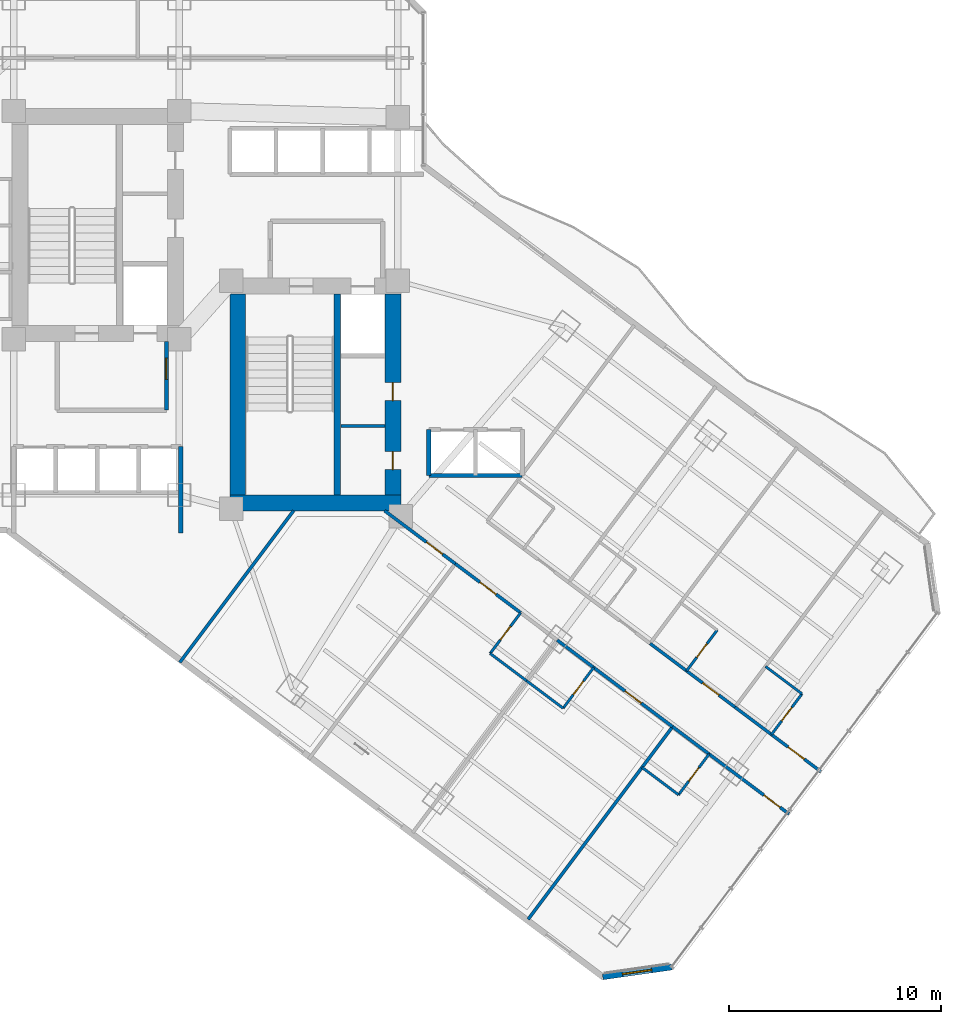
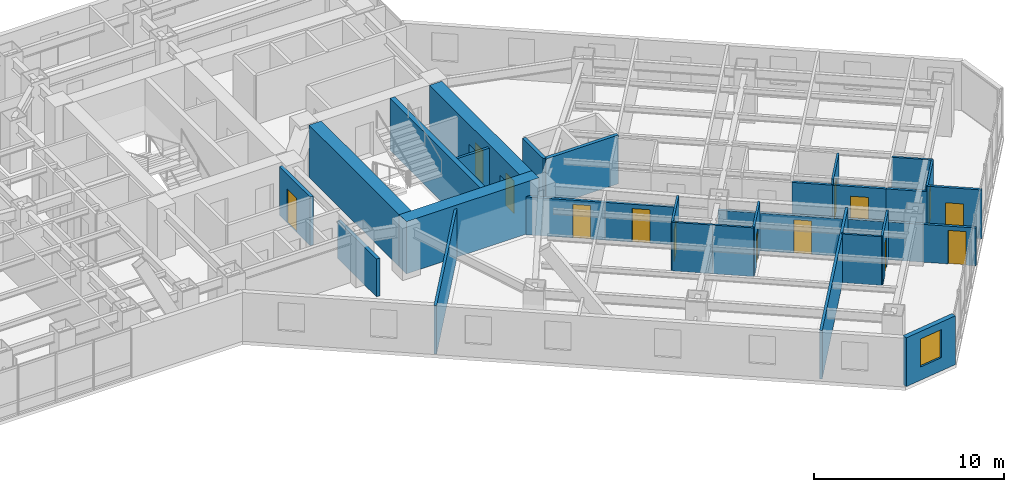
# One storey, part 23 of 32: 31 walls, 14 doors, 1 window, 15 openings.
"""IFC4 building model written with IfcOpenShell, lengths in metres."""

from ifc_helpers import new_model, si_unit, direction, frame, frame_2d, origin, place, context, subcontext, project, spatial, rectangle, extrude, material, layer, layer_set, type_object, element, fill, save


model = new_model("IFC4")

# Units and contexts
model_context = context("Model", 3, precision=1e-05, world=origin(), true_north=direction((0.0, 1.0)))
body_context = subcontext(model_context, "Body", "Model", "MODEL_VIEW")
ifc_project = project(units=[si_unit("LENGTHUNIT", "METRE"), si_unit("AREAUNIT", "SQUARE_METRE"), si_unit("VOLUMEUNIT", "CUBIC_METRE"), si_unit("PLANEANGLEUNIT", "RADIAN"), si_unit("MASSUNIT", "GRAM", prefix="KILO")], contexts=[model_context])

# Site, building, storey
site_placement = place(None, origin())
site = spatial("IfcSite", under=ifc_project, at=site_placement, CompositionType="ELEMENT")
building_placement = place(site_placement, origin())
building = spatial("IfcBuilding", under=site, at=building_placement, Name="Hatsunagi Terrace Concourse", CompositionType="ELEMENT")
storey_placement = place(building_placement, frame((0.0, 0.0, 36.60009765625)))
storey = spatial("IfcBuildingStorey", under=building, at=storey_placement, Name="L08", CompositionType="ELEMENT", Elevation=36.60009765625)

# Walls
ifc_material_1 = material(Name="Concrete Fc60", Category="concrete")
ifc_layer_1 = layer(ifc_material_1, 0.75)
ifc_layer_set_1 = layer_set([ifc_layer_1], Name="CoreShearWall_Fc60_750")
wall_type_1 = type_object("IfcWallType", Name="CoreShearWall_Fc60_750", PredefinedType="SHEAR", material=ifc_layer_set_1)
wall_1_placement = place(storey_placement, frame((35.739990234375, 24.81494140625, 0.0), z_axis=(0.0, 0.0, 1.0), x_axis=(1.0, 0.0, 0.0)))
element("IfcWall", 1, at=wall_1_placement, inside=storey, type_object=wall_type_1, Name="Core B Shear Wall S L08", PredefinedType="SHEAR", context=body_context, shape_type="SweptSolid", body=[
    extrude(rectangle(XDim=8.06005859375, YDim=0.75, at=frame_2d((4.030029296875, 0.0))), origin(), (0.0, 0.0, 1.0), 3.349853515625),
])
wall_2_placement = place(storey_placement, frame((36.114990234375, 25.18994140625, 0.0), z_axis=(0.0, 0.0, 1.0), x_axis=(0.0, 1.0, 0.0)))
element("IfcWall", 2, at=wall_2_placement, inside=storey, type_object=wall_type_1, Name="Core B Shear Wall W L08", PredefinedType="SHEAR", context=body_context, shape_type="SweptSolid", body=[
    extrude(rectangle(XDim=9.47998046875, YDim=0.75, at=frame_2d((4.739990234375, 0.0))), origin(), (0.0, 0.0, 1.0), 3.349853515625),
])

# Wall, openings, doors
wall_3_placement = place(storey_placement, frame((43.425048828125, 25.18994140625, 0.0), z_axis=(0.0, 0.0, 1.0), x_axis=(0.0, 1.0, 0.0)))
wall_3 = element("IfcWall", 3, at=wall_3_placement, inside=storey, type_object=wall_type_1, Name="Core B Shear Wall E L08", PredefinedType="SHEAR", context=body_context, shape_type="SweptSolid", body=[
    extrude(rectangle(XDim=9.47998046875, YDim=0.75, at=frame_2d((4.739990234375, 0.0))), origin(), (0.0, 0.0, 1.0), 3.349853515625),
])
opening_1_placement = place(wall_3_placement, frame((1.2099609375, 0.0, 0.0)))
opening_1 = element("IfcOpeningElement", 4, at=opening_1_placement, cuts=wall_3, Name="Opening DR-085", PredefinedType="OPENING", context=body_context, shape_type="SweptSolid", body=[
    extrude(rectangle(XDim=0.85009765625, YDim=2.080078125, at=frame_2d((0.425048828125, 1.0400390625))), frame((0.0, 0.385009765625, 0.0), z_axis=(0.0, -1.0, 0.0), x_axis=(1.0, 0.0, 0.0)), (0.0, 0.0, 1.0), 0.77001953125),
])
opening_2_placement = place(wall_3_placement, frame((4.4599609375, 0.0, 0.0)))
opening_2 = element("IfcOpeningElement", 5, at=opening_2_placement, cuts=wall_3, Name="Opening DR-085", PredefinedType="OPENING", context=body_context, shape_type="SweptSolid", body=[
    extrude(rectangle(XDim=0.85009765625, YDim=2.080078125, at=frame_2d((0.425048828125, 1.0400390625))), frame((0.0, 0.385009765625, 0.0), z_axis=(0.0, -1.0, 0.0), x_axis=(1.0, 0.0, 0.0)), (0.0, 0.0, 1.0), 0.77001953125),
])
ifc_material_2 = material(Name="Painted steel", Category="steel")
door_type_1 = type_object("IfcDoorType", Name="RiserAccessDoor_EI60_850", OperationType="NOTDEFINED", PredefinedType="DOOR", material=ifc_material_2)
door_1_placement = place(opening_1_placement, origin())
door_1 = element("IfcDoor", 6, at=door_1_placement, inside=storey, type_object=door_type_1, Name="Core B Riser Door L08-1", OperationType="SINGLE_SWING_RIGHT", OverallHeight=2.080078125, OverallWidth=0.85009765625, PredefinedType="DOOR", context=body_context, shape_type="SweptSolid", body=[
    extrude(rectangle(XDim=0.85009765625, YDim=2.080078125, at=frame_2d((0.425048828125, 1.0400390625))), frame((0.0, 0.02490234375, 0.0), z_axis=(0.0, -1.0, 0.0), x_axis=(1.0, 0.0, 0.0)), (0.0, 0.0, 1.0), 0.050048828125),
])
fill(opening_1, door_1)
door_2_placement = place(opening_2_placement, origin())
door_2 = element("IfcDoor", 7, at=door_2_placement, inside=storey, type_object=door_type_1, Name="Core B Riser Door L08-2", OperationType="SINGLE_SWING_RIGHT", OverallHeight=2.080078125, OverallWidth=0.85009765625, PredefinedType="DOOR", context=body_context, shape_type="SweptSolid", body=[
    extrude(rectangle(XDim=0.85009765625, YDim=2.080078125, at=frame_2d((0.425048828125, 1.0400390625))), frame((0.0, 0.02490234375, 0.0), z_axis=(0.0, -1.0, 0.0), x_axis=(1.0, 0.0, 0.0)), (0.0, 0.0, 1.0), 0.050048828125),
])
fill(opening_2, door_2)

# Wall
ifc_material_3 = material(Name="Concrete Fc48", Category="concrete")
ifc_layer_2 = layer(ifc_material_3, 0.300048828125)
ifc_layer_set_2 = layer_set([ifc_layer_2], Name="CoreStairDivider_Fc48_300")
wall_type_2 = type_object("IfcWallType", Name="CoreStairDivider_Fc48_300", PredefinedType="SHEAR", material=ifc_layer_set_2)
wall_4_placement = place(storey_placement, frame((40.81005859375, 25.18994140625, 0.0), z_axis=(0.0, 0.0, 1.0), x_axis=(0.0, 1.0, 0.0)))
element("IfcWall", 8, at=wall_4_placement, inside=storey, type_object=wall_type_2, Name="Core B Shear Wall D L08", PredefinedType="SHEAR", context=body_context, shape_type="SweptSolid", body=[
    extrude(rectangle(XDim=9.47998046875, YDim=0.300048828125, at=frame_2d((4.739990234375, 0.0))), origin(), (0.0, 0.0, 1.0), 3.349853515625),
])

# Wall, opening, door
ifc_material_4 = material(Name="Acoustic mineral board", Category="gypsum")
ifc_layer_3 = layer(ifc_material_4, 0.1201171875)
ifc_layer_set_3 = layer_set([ifc_layer_3], Name="PartitionWall_EI30_120")
wall_type_3 = type_object("IfcWallType", Name="PartitionWall_EI30_120", PredefinedType="PARTITIONING", material=ifc_layer_set_3)
wall_5_placement = place(storey_placement, frame((57.27001953125, 16.909912109375, 0.0), z_axis=(0.0, 0.0, 1.0), x_axis=(0.599951172744, 0.800036618114, 0.0)))
wall_5 = element("IfcWall", 9, at=wall_5_placement, inside=storey, type_object=wall_type_3, Name="Interior Partition IW-L08-089", PredefinedType="PARTITIONING", context=body_context, shape_type="SweptSolid", body=[
    extrude(rectangle(XDim=2.400146484375, YDim=0.1201171875, at=frame_2d((1.2001953125, 0.0))), origin(), (0.0, 0.0, 1.0), 3.1298828125),
])
opening_3_placement = place(wall_5_placement, frame((0.800048828125, 0.0, 0.0)))
opening_3 = element("IfcOpeningElement", 10, at=opening_3_placement, cuts=wall_5, Name="Opening DR-080", PredefinedType="OPENING", context=body_context, shape_type="SweptSolid", body=[
    extrude(rectangle(XDim=0.800048828125, YDim=2.06005859375, at=frame_2d((0.39990234375, 1.030029296875))), frame((0.0, 0.070068359375, 0.0), z_axis=(0.0, -1.0, 0.0), x_axis=(1.0, 0.0, 0.0)), (0.0, 0.0, 1.0), 0.14013671875),
])
ifc_material_5 = material(Name="Hardwood timber", Category="wood")
door_type_2 = type_object("IfcDoorType", Name="BathroomDoor_800", OperationType="NOTDEFINED", PredefinedType="DOOR", material=ifc_material_5)
door_3_placement = place(opening_3_placement, origin())
door_3 = element("IfcDoor", 11, at=door_3_placement, inside=storey, type_object=door_type_2, Name="En-Suite Bathroom L08-SENE3 Door", OperationType="SINGLE_SWING_LEFT", OverallHeight=2.06005859375, OverallWidth=0.800048828125, PredefinedType="DOOR", context=body_context, shape_type="SweptSolid", body=[
    extrude(rectangle(XDim=0.800048828125, YDim=2.06005859375, at=frame_2d((0.39990234375, 1.030029296875))), frame((0.0, 0.02490234375, 0.0), z_axis=(0.0, -1.0, 0.0), x_axis=(1.0, 0.0, 0.0)), (0.0, 0.0, 1.0), 0.050048828125),
])
fill(opening_3, door_3)

wall_6_placement = place(storey_placement, frame((61.27001953125, 13.909912109375, 0.0), z_axis=(0.0, 0.0, 1.0), x_axis=(0.599951172744, 0.800036618114, 0.0)))
wall_6 = element("IfcWall", 12, at=wall_6_placement, inside=storey, type_object=wall_type_3, Name="Interior Partition IW-L08-094", PredefinedType="PARTITIONING", context=body_context, shape_type="SweptSolid", body=[
    extrude(rectangle(XDim=2.400146484375, YDim=0.1201171875, at=frame_2d((1.2001953125, 0.0))), origin(), (0.0, 0.0, 1.0), 3.1298828125),
])
opening_4_placement = place(wall_6_placement, frame((0.800048828125, 0.0, 0.0)))
opening_4 = element("IfcOpeningElement", 13, at=opening_4_placement, cuts=wall_6, Name="Opening DR-080", PredefinedType="OPENING", context=body_context, shape_type="SweptSolid", body=[
    extrude(rectangle(XDim=0.800048828125, YDim=2.06005859375, at=frame_2d((0.39990234375, 1.030029296875))), frame((0.0, 0.070068359375, 0.0), z_axis=(0.0, -1.0, 0.0), x_axis=(1.0, 0.0, 0.0)), (0.0, 0.0, 1.0), 0.14013671875),
])
door_4_placement = place(opening_4_placement, origin())
door_4 = element("IfcDoor", 14, at=door_4_placement, inside=storey, type_object=door_type_2, Name="En-Suite Bathroom L08-SENE4 Door", OperationType="SINGLE_SWING_RIGHT", OverallHeight=2.06005859375, OverallWidth=0.800048828125, PredefinedType="DOOR", context=body_context, shape_type="SweptSolid", body=[
    extrude(rectangle(XDim=0.800048828125, YDim=2.06005859375, at=frame_2d((0.39990234375, 1.030029296875))), frame((0.0, 0.02490234375, 0.0), z_axis=(0.0, -1.0, 0.0), x_axis=(1.0, 0.0, 0.0)), (0.0, 0.0, 1.0), 0.050048828125),
])
fill(opening_4, door_4)

# Wall
wall_7_placement = place(storey_placement, frame((60.989990234375, 17.1201171875, 0.0), z_axis=(0.0, 0.0, 1.0), x_axis=(0.79998637334, -0.60001816845, 0.0)))
element("IfcWall", 15, at=wall_7_placement, inside=storey, type_object=wall_type_3, Name="Interior Partition IW-L08-095", PredefinedType="PARTITIONING", context=body_context, shape_type="SweptSolid", body=[
    extrude(rectangle(XDim=2.14990234375, YDim=0.1201171875, at=frame_2d((1.074951171875, 0.0))), origin(), (0.0, 0.0, 1.0), 3.1298828125),
])

# Wall, opening, door
wall_8_placement = place(storey_placement, frame((48.010009765625, 17.72998046875, 0.0), z_axis=(0.0, 0.0, 1.0), x_axis=(0.6, 0.8, 0.0)))
wall_8 = element("IfcWall", 16, at=wall_8_placement, inside=storey, type_object=wall_type_3, Name="Interior Partition IW-L08-098", PredefinedType="PARTITIONING", context=body_context, shape_type="SweptSolid", body=[
    extrude(rectangle(XDim=2.39990234375, YDim=0.1201171875, at=frame_2d((1.199951171875, 0.0))), origin(), (0.0, 0.0, 1.0), 3.1298828125),
])
opening_5_placement = place(wall_8_placement, frame((0.800048828125, 0.0, 0.0)))
opening_5 = element("IfcOpeningElement", 17, at=opening_5_placement, cuts=wall_8, Name="Opening DR-080", PredefinedType="OPENING", context=body_context, shape_type="SweptSolid", body=[
    extrude(rectangle(XDim=0.800048828125, YDim=2.06005859375, at=frame_2d((0.39990234375, 1.030029296875))), frame((0.0, 0.070068359375, 0.0), z_axis=(0.0, -1.0, 0.0), x_axis=(1.0, 0.0, 0.0)), (0.0, 0.0, 1.0), 0.14013671875),
])
door_5_placement = place(opening_5_placement, origin())
door_5 = element("IfcDoor", 18, at=door_5_placement, inside=storey, type_object=door_type_2, Name="En-Suite Bathroom L08-SESW1 Door", OperationType="SINGLE_SWING_LEFT", OverallHeight=2.06005859375, OverallWidth=0.800048828125, PredefinedType="DOOR", context=body_context, shape_type="SweptSolid", body=[
    extrude(rectangle(XDim=0.800048828125, YDim=2.06005859375, at=frame_2d((0.39990234375, 1.030029296875))), frame((0.0, 0.02490234375, 0.0), z_axis=(0.0, -1.0, 0.0), x_axis=(1.0, 0.0, 0.0)), (0.0, 0.0, 1.0), 0.050048828125),
])
fill(opening_5, door_5)

# Wall
wall_9_placement = place(storey_placement, frame((48.010009765625, 17.72998046875, 0.0), z_axis=(0.0, 0.0, 1.0), x_axis=(0.79998637334, -0.60001816845, 0.0)))
element("IfcWall", 19, at=wall_9_placement, inside=storey, type_object=wall_type_3, Name="Interior Partition IW-L08-099", PredefinedType="PARTITIONING", context=body_context, shape_type="SweptSolid", body=[
    extrude(rectangle(XDim=2.14990234375, YDim=0.1201171875, at=frame_2d((1.074951171875, 0.0))), origin(), (0.0, 0.0, 1.0), 3.1298828125),
])

# Wall, opening, door
wall_10_placement = place(storey_placement, frame((51.449951171875, 15.14990234375, 0.0), z_axis=(0.0, 0.0, 1.0), x_axis=(0.599951172744, 0.800036618114, 0.0)))
wall_10 = element("IfcWall", 20, at=wall_10_placement, inside=storey, type_object=wall_type_3, Name="Interior Partition IW-L08-103", PredefinedType="PARTITIONING", context=body_context, shape_type="SweptSolid", body=[
    extrude(rectangle(XDim=2.400146484375, YDim=0.1201171875, at=frame_2d((1.2001953125, 0.0))), origin(), (0.0, 0.0, 1.0), 3.1298828125),
])
opening_6_placement = place(wall_10_placement, frame((0.800048828125, 0.0, 0.0)))
opening_6 = element("IfcOpeningElement", 21, at=opening_6_placement, cuts=wall_10, Name="Opening DR-080", PredefinedType="OPENING", context=body_context, shape_type="SweptSolid", body=[
    extrude(rectangle(XDim=0.800048828125, YDim=2.06005859375, at=frame_2d((0.39990234375, 1.030029296875))), frame((0.0, 0.070068359375, 0.0), z_axis=(0.0, -1.0, 0.0), x_axis=(1.0, 0.0, 0.0)), (0.0, 0.0, 1.0), 0.14013671875),
])
door_6_placement = place(opening_6_placement, origin())
door_6 = element("IfcDoor", 22, at=door_6_placement, inside=storey, type_object=door_type_2, Name="En-Suite Bathroom L08-SESW2 Door", OperationType="SINGLE_SWING_RIGHT", OverallHeight=2.06005859375, OverallWidth=0.800048828125, PredefinedType="DOOR", context=body_context, shape_type="SweptSolid", body=[
    extrude(rectangle(XDim=0.800048828125, YDim=2.06005859375, at=frame_2d((0.39990234375, 1.030029296875))), frame((0.0, 0.02490234375, 0.0), z_axis=(0.0, -1.0, 0.0), x_axis=(1.0, 0.0, 0.0)), (0.0, 0.0, 1.0), 0.050048828125),
])
fill(opening_6, door_6)

# Wall
wall_11_placement = place(storey_placement, frame((49.72998046875, 16.43994140625, 0.0), z_axis=(0.0, 0.0, 1.0), x_axis=(0.79998637334, -0.60001816845, 0.0)))
element("IfcWall", 23, at=wall_11_placement, inside=storey, type_object=wall_type_3, Name="Interior Partition IW-L08-104", PredefinedType="PARTITIONING", context=body_context, shape_type="SweptSolid", body=[
    extrude(rectangle(XDim=2.14990234375, YDim=0.1201171875, at=frame_2d((1.074951171875, 0.0))), origin(), (0.0, 0.0, 1.0), 3.1298828125),
])

# Wall, opening, door
wall_12_placement = place(storey_placement, frame((56.889892578125, 11.070068359375, 0.0), z_axis=(0.0, 0.0, 1.0), x_axis=(0.600065100855, 0.79995117022, 0.0)))
wall_12 = element("IfcWall", 24, at=wall_12_placement, inside=storey, type_object=wall_type_3, Name="Interior Partition IW-L08-108", PredefinedType="PARTITIONING", context=body_context, shape_type="SweptSolid", body=[
    extrude(rectangle(XDim=2.400146484375, YDim=0.1201171875, at=frame_2d((1.2001953125, 0.0))), origin(), (0.0, 0.0, 1.0), 3.1298828125),
])
opening_7_placement = place(wall_12_placement, frame((0.800048828125, 0.0, 0.0)))
opening_7 = element("IfcOpeningElement", 25, at=opening_7_placement, cuts=wall_12, Name="Opening DR-080", PredefinedType="OPENING", context=body_context, shape_type="SweptSolid", body=[
    extrude(rectangle(XDim=0.800048828125, YDim=2.06005859375, at=frame_2d((0.39990234375, 1.030029296875))), frame((0.0, 0.070068359375, 0.0), z_axis=(0.0, -1.0, 0.0), x_axis=(1.0, 0.0, 0.0)), (0.0, 0.0, 1.0), 0.14013671875),
])
door_7_placement = place(opening_7_placement, origin())
door_7 = element("IfcDoor", 26, at=door_7_placement, inside=storey, type_object=door_type_2, Name="En-Suite Bathroom L08-SESW3 Door", OperationType="SINGLE_SWING_LEFT", OverallHeight=2.06005859375, OverallWidth=0.800048828125, PredefinedType="DOOR", context=body_context, shape_type="SweptSolid", body=[
    extrude(rectangle(XDim=0.800048828125, YDim=2.06005859375, at=frame_2d((0.39990234375, 1.030029296875))), frame((0.0, 0.02490234375, 0.0), z_axis=(0.0, -1.0, 0.0), x_axis=(1.0, 0.0, 0.0)), (0.0, 0.0, 1.0), 0.050048828125),
])
fill(opening_7, door_7)

# Walls
wall_13_placement = place(storey_placement, frame((55.169921875, 12.360107421875, 0.0), z_axis=(0.0, 0.0, 1.0), x_axis=(0.79998637334, -0.60001816845, 0.0)))
element("IfcWall", 27, at=wall_13_placement, inside=storey, type_object=wall_type_3, Name="Interior Partition IW-L08-109", PredefinedType="PARTITIONING", context=body_context, shape_type="SweptSolid", body=[
    extrude(rectangle(XDim=2.14990234375, YDim=0.1201171875, at=frame_2d((1.074951171875, 0.0))), origin(), (0.0, 0.0, 1.0), 3.1298828125),
])
ifc_material_6 = material(Name="Acoustic mineral board", Category="gypsum")
ifc_layer_4 = layer(ifc_material_6, 0.14990234375)
ifc_layer_set_4 = layer_set([ifc_layer_4], Name="PartitionWall_EI60_150")
wall_type_4 = type_object("IfcWallType", Name="PartitionWall_EI60_150", PredefinedType="PARTITIONING", material=ifc_layer_set_4)
wall_14_placement = place(storey_placement, frame((40.969970703125, 28.449951171875, 0.0), z_axis=(0.0, 0.0, 1.0), x_axis=(1.0, 0.0, 0.0)))
element("IfcWall", 28, at=wall_14_placement, inside=storey, type_object=wall_type_4, Name="Interior Partition IW-L08-004", PredefinedType="PARTITIONING", context=body_context, shape_type="SweptSolid", body=[
    extrude(rectangle(XDim=2.080078125, YDim=0.14990234375, at=frame_2d((1.0400390625, 0.0))), origin(), (0.0, 0.0, 1.0), 3.1298828125),
])

# Wall, opening, door
wall_15_placement = place(storey_placement, frame((43.037109375, 24.4599609375, 0.0), z_axis=(0.0, 0.0, 1.0), x_axis=(0.799971872363, -0.600037501685, 0.0)))
wall_15 = element("IfcWall", 29, at=wall_15_placement, inside=storey, type_object=wall_type_4, Name="Interior Partition IW-L08-041", PredefinedType="PARTITIONING", context=body_context, shape_type="SweptSolid", body=[
    extrude(rectangle(XDim=4.16650390625, YDim=0.14990234375, at=frame_2d((2.083251953125, 0.0))), origin(), (0.0, 0.0, 1.0), 2.4248046875),
])
opening_8_placement = place(wall_15_placement, frame((2.468017578125, 0.0, 0.0)))
opening_8 = element("IfcOpeningElement", 30, at=opening_8_placement, cuts=wall_15, Name="Opening DR-095", PredefinedType="OPENING", context=body_context, shape_type="SweptSolid", body=[
    extrude(rectangle(XDim=0.949951171875, YDim=2.14990234375, at=frame_2d((0.47509765625, 1.074951171875))), frame((0.0, 0.0849609375, 0.0), z_axis=(0.0, -1.0, 0.0), x_axis=(1.0, 0.0, 0.0)), (0.0, 0.0, 1.0), 0.169921875),
])
ifc_material_7 = material(Name="Hardwood timber", Category="wood")
door_type_3 = type_object("IfcDoorType", Name="InteriorSuiteDoor_EI30_950", OperationType="NOTDEFINED", PredefinedType="DOOR", material=ifc_material_7)
door_8_placement = place(opening_8_placement, origin())
door_8 = element("IfcDoor", 31, at=door_8_placement, inside=storey, type_object=door_type_3, Name="Meeting Room L08-HMTG Door", OperationType="SINGLE_SWING_RIGHT", OverallHeight=2.14990234375, OverallWidth=0.949951171875, PredefinedType="DOOR", context=body_context, shape_type="SweptSolid", body=[
    extrude(rectangle(XDim=0.949951171875, YDim=2.14990234375, at=frame_2d((0.47509765625, 1.074951171875))), frame((0.0, 0.02490234375, 0.0), z_axis=(0.0, -1.0, 0.0), x_axis=(1.0, 0.0, 0.0)), (0.0, 0.0, 1.0), 0.050048828125),
])
fill(opening_8, door_8)

# Walls
wall_16_placement = place(storey_placement, frame((33.384033203125, 17.31201171875, 0.0), z_axis=(0.0, 0.0, 1.0), x_axis=(0.600008743659, 0.799993442181, 0.0)))
element("IfcWall", 32, at=wall_16_placement, inside=storey, type_object=wall_type_4, Name="Interior Partition IW-L08-042", PredefinedType="PARTITIONING", context=body_context, shape_type="SweptSolid", body=[
    extrude(rectangle(XDim=8.93505859375, YDim=0.14990234375, at=frame_2d((4.467529296875, 0.0))), origin(), (0.0, 0.0, 1.0), 3.1298828125),
])
wall_17_placement = place(storey_placement, frame((55.550048828125, 18.199951171875, 0.0), z_axis=(0.0, 0.0, 1.0), x_axis=(0.79998637334, -0.60001816845, 0.0)))
element("IfcWall", 33, at=wall_17_placement, inside=storey, type_object=wall_type_4, Name="Interior Partition IW-L08-087", PredefinedType="PARTITIONING", context=body_context, shape_type="SweptSolid", body=[
    extrude(rectangle(XDim=2.14990234375, YDim=0.14990234375, at=frame_2d((1.074951171875, 0.0))), origin(), (0.0, 0.0, 1.0), 2.77490234375),
])

# Wall, opening, door
wall_18_placement = place(storey_placement, frame((57.27001953125, 16.909912109375, 0.0), z_axis=(0.0, 0.0, 1.0), x_axis=(0.800010279488, -0.599986293772, 0.0)))
wall_18 = element("IfcWall", 34, at=wall_18_placement, inside=storey, type_object=wall_type_4, Name="Interior Partition IW-L08-088", PredefinedType="PARTITIONING", context=body_context, shape_type="SweptSolid", body=[
    extrude(rectangle(XDim=2.85009765625, YDim=0.14990234375, at=frame_2d((1.425048828125, 0.0))), origin(), (0.0, 0.0, 1.0), 2.77490234375),
])
opening_9_placement = place(wall_18_placement, frame((0.949951171875, 0.0, 0.0)))
opening_9 = element("IfcOpeningElement", 35, at=opening_9_placement, cuts=wall_18, Name="Opening DR-095", PredefinedType="OPENING", context=body_context, shape_type="SweptSolid", body=[
    extrude(rectangle(XDim=0.949951171875, YDim=2.14990234375, at=frame_2d((0.47509765625, 1.074951171875))), frame((0.0, 0.0849609375, 0.0), z_axis=(0.0, -1.0, 0.0), x_axis=(1.0, 0.0, 0.0)), (0.0, 0.0, 1.0), 0.169921875),
])
door_9_placement = place(opening_9_placement, origin())
door_9 = element("IfcDoor", 36, at=door_9_placement, inside=storey, type_object=door_type_3, Name="Hotel Guest Room L08-SENE3 Door", OperationType="SINGLE_SWING_LEFT", OverallHeight=2.14990234375, OverallWidth=0.949951171875, PredefinedType="DOOR", context=body_context, shape_type="SweptSolid", body=[
    extrude(rectangle(XDim=0.949951171875, YDim=2.14990234375, at=frame_2d((0.47509765625, 1.074951171875))), frame((0.0, 0.02490234375, 0.0), z_axis=(0.0, -1.0, 0.0), x_axis=(1.0, 0.0, 0.0)), (0.0, 0.0, 1.0), 0.050048828125),
])
fill(opening_9, door_9)

# Wall
wall_19_placement = place(storey_placement, frame((59.550048828125, 15.199951171875, 0.0), z_axis=(0.0, 0.0, 1.0), x_axis=(0.79998637334, -0.60001816845, 0.0)))
element("IfcWall", 37, at=wall_19_placement, inside=storey, type_object=wall_type_4, Name="Interior Partition IW-L08-092", PredefinedType="PARTITIONING", context=body_context, shape_type="SweptSolid", body=[
    extrude(rectangle(XDim=2.14990234375, YDim=0.14990234375, at=frame_2d((1.074951171875, 0.0))), origin(), (0.0, 0.0, 1.0), 2.77490234375),
])

# Wall, opening, door
wall_20_placement = place(storey_placement, frame((61.27001953125, 13.909912109375, 0.0), z_axis=(0.0, 0.0, 1.0), x_axis=(0.800010068184, -0.59998657552, 0.0)))
wall_20 = element("IfcWall", 38, at=wall_20_placement, inside=storey, type_object=wall_type_4, Name="Interior Partition IW-L08-093", PredefinedType="PARTITIONING", context=body_context, shape_type="SweptSolid", body=[
    extrude(rectangle(XDim=2.909912109375, YDim=0.14990234375, at=frame_2d((1.455078125, 0.0))), origin(), (0.0, 0.0, 1.0), 3.1298828125),
])
opening_10_placement = place(wall_20_placement, frame((0.97998046875, 0.0, 0.0)))
opening_10 = element("IfcOpeningElement", 39, at=opening_10_placement, cuts=wall_20, Name="Opening DR-095", PredefinedType="OPENING", context=body_context, shape_type="SweptSolid", body=[
    extrude(rectangle(XDim=0.949951171875, YDim=2.14990234375, at=frame_2d((0.47509765625, 1.074951171875))), frame((0.0, 0.0849609375, 0.0), z_axis=(0.0, -1.0, 0.0), x_axis=(1.0, 0.0, 0.0)), (0.0, 0.0, 1.0), 0.169921875),
])
door_10_placement = place(opening_10_placement, origin())
door_10 = element("IfcDoor", 40, at=door_10_placement, inside=storey, type_object=door_type_3, Name="Hotel Guest Room L08-SENE4 Door", OperationType="SINGLE_SWING_LEFT", OverallHeight=2.14990234375, OverallWidth=0.949951171875, PredefinedType="DOOR", context=body_context, shape_type="SweptSolid", body=[
    extrude(rectangle(XDim=0.949951171875, YDim=2.14990234375, at=frame_2d((0.47509765625, 1.074951171875))), frame((0.0, 0.02490234375, 0.0), z_axis=(0.0, -1.0, 0.0), x_axis=(1.0, 0.0, 0.0)), (0.0, 0.0, 1.0), 0.050048828125),
])
fill(opening_10, door_10)

wall_21_placement = place(storey_placement, frame((46.3701171875, 21.9599609375, 0.0), z_axis=(0.0, 0.0, 1.0), x_axis=(0.799977170108, -0.600030438649, 0.0)))
wall_21 = element("IfcWall", 41, at=wall_21_placement, inside=storey, type_object=wall_type_4, Name="Interior Partition IW-L08-096", PredefinedType="PARTITIONING", context=body_context, shape_type="SweptSolid", body=[
    extrude(rectangle(XDim=3.849853515625, YDim=0.14990234375, at=frame_2d((1.9248046875, 0.0))), origin(), (0.0, 0.0, 1.0), 2.4248046875),
])
opening_11_placement = place(wall_21_placement, frame((1.449951171875, 0.0, 0.0)))
opening_11 = element("IfcOpeningElement", 42, at=opening_11_placement, cuts=wall_21, Name="Opening DR-095", PredefinedType="OPENING", context=body_context, shape_type="SweptSolid", body=[
    extrude(rectangle(XDim=0.949951171875, YDim=2.14990234375, at=frame_2d((0.47509765625, 1.074951171875))), frame((0.0, 0.0849609375, 0.0), z_axis=(0.0, -1.0, 0.0), x_axis=(1.0, 0.0, 0.0)), (0.0, 0.0, 1.0), 0.169921875),
])
door_11_placement = place(opening_11_placement, origin())
door_11 = element("IfcDoor", 43, at=door_11_placement, inside=storey, type_object=door_type_3, Name="Hotel Guest Room L08-SESW1 Door", OperationType="SINGLE_SWING_RIGHT", OverallHeight=2.14990234375, OverallWidth=0.949951171875, PredefinedType="DOOR", context=body_context, shape_type="SweptSolid", body=[
    extrude(rectangle(XDim=0.949951171875, YDim=2.14990234375, at=frame_2d((0.47509765625, 1.074951171875))), frame((0.0, 0.02490234375, 0.0), z_axis=(0.0, -1.0, 0.0), x_axis=(1.0, 0.0, 0.0)), (0.0, 0.0, 1.0), 0.050048828125),
])
fill(opening_11, door_11)

# Wall
wall_22_placement = place(storey_placement, frame((51.169921875, 18.360107421875, 0.0), z_axis=(0.0, 0.0, 1.0), x_axis=(0.79998637334, -0.60001816845, 0.0)))
element("IfcWall", 44, at=wall_22_placement, inside=storey, type_object=wall_type_4, Name="Interior Partition IW-L08-101", PredefinedType="PARTITIONING", context=body_context, shape_type="SweptSolid", body=[
    extrude(rectangle(XDim=2.14990234375, YDim=0.14990234375, at=frame_2d((1.074951171875, 0.0))), origin(), (0.0, 0.0, 1.0), 2.4248046875),
])

# Wall, opening, door
wall_23_placement = place(storey_placement, frame((52.889892578125, 17.070068359375, 0.0), z_axis=(0.0, 0.0, 1.0), x_axis=(0.800012600101, -0.599983199498, 0.0)))
wall_23 = element("IfcWall", 45, at=wall_23_placement, inside=storey, type_object=wall_type_4, Name="Interior Partition IW-L08-102", PredefinedType="PARTITIONING", context=body_context, shape_type="SweptSolid", body=[
    extrude(rectangle(XDim=4.650146484375, YDim=0.14990234375, at=frame_2d((2.3251953125, 0.0))), origin(), (0.0, 0.0, 1.0), 2.4248046875),
])
opening_12_placement = place(wall_23_placement, frame((1.85009765625, 0.0, 0.0)))
opening_12 = element("IfcOpeningElement", 46, at=opening_12_placement, cuts=wall_23, Name="Opening DR-095", PredefinedType="OPENING", context=body_context, shape_type="SweptSolid", body=[
    extrude(rectangle(XDim=0.949951171875, YDim=2.14990234375, at=frame_2d((0.47509765625, 1.074951171875))), frame((0.0, 0.0849609375, 0.0), z_axis=(0.0, -1.0, 0.0), x_axis=(1.0, 0.0, 0.0)), (0.0, 0.0, 1.0), 0.169921875),
])
door_12_placement = place(opening_12_placement, origin())
door_12 = element("IfcDoor", 47, at=door_12_placement, inside=storey, type_object=door_type_3, Name="Corner Hotel Suite L08-SESW2 Door", OperationType="SINGLE_SWING_RIGHT", OverallHeight=2.14990234375, OverallWidth=0.949951171875, PredefinedType="DOOR", context=body_context, shape_type="SweptSolid", body=[
    extrude(rectangle(XDim=0.949951171875, YDim=2.14990234375, at=frame_2d((0.47509765625, 1.074951171875))), frame((0.0, 0.02490234375, 0.0), z_axis=(0.0, -1.0, 0.0), x_axis=(1.0, 0.0, 0.0)), (0.0, 0.0, 1.0), 0.050048828125),
])
fill(opening_12, door_12)

# Walls
wall_24_placement = place(storey_placement, frame((49.800048828125, 5.199951171875, 0.0), z_axis=(0.0, 0.0, 1.0), x_axis=(0.6, 0.8, 0.0)))
element("IfcWall", 48, at=wall_24_placement, inside=storey, type_object=wall_type_4, Name="Interior Partition IW-L08-105", PredefinedType="PARTITIONING", context=body_context, shape_type="SweptSolid", body=[
    extrude(rectangle(XDim=11.35009765625, YDim=0.14990234375, at=frame_2d((5.675048828125, 0.0))), origin(), (0.0, 0.0, 1.0), 3.1298828125),
])
wall_25_placement = place(storey_placement, frame((56.610107421875, 14.280029296875, 0.0), z_axis=(0.0, 0.0, 1.0), x_axis=(0.79998637334, -0.60001816845, 0.0)))
element("IfcWall", 49, at=wall_25_placement, inside=storey, type_object=wall_type_4, Name="Interior Partition IW-L08-106", PredefinedType="PARTITIONING", context=body_context, shape_type="SweptSolid", body=[
    extrude(rectangle(XDim=2.14990234375, YDim=0.14990234375, at=frame_2d((1.074951171875, 0.0))), origin(), (0.0, 0.0, 1.0), 2.4248046875),
])

# Wall, opening, door
wall_26_placement = place(storey_placement, frame((58.330078125, 12.989990234375, 0.0), z_axis=(0.0, 0.0, 1.0), x_axis=(0.799993779569, -0.600008293819, 0.0)))
wall_26 = element("IfcWall", 50, at=wall_26_placement, inside=storey, type_object=wall_type_4, Name="Interior Partition IW-L08-107", PredefinedType="PARTITIONING", context=body_context, shape_type="SweptSolid", body=[
    extrude(rectangle(XDim=4.709716796875, YDim=0.14990234375, at=frame_2d((2.35498046875, 0.0))), origin(), (0.0, 0.0, 1.0), 2.4248046875),
])
opening_13_placement = place(wall_26_placement, frame((3.22998046875, 0.0, 0.0)))
opening_13 = element("IfcOpeningElement", 51, at=opening_13_placement, cuts=wall_26, Name="Opening DR-095", PredefinedType="OPENING", context=body_context, shape_type="SweptSolid", body=[
    extrude(rectangle(XDim=0.949951171875, YDim=2.14990234375, at=frame_2d((0.47509765625, 1.074951171875))), frame((0.0, 0.0849609375, 0.0), z_axis=(0.0, -1.0, 0.0), x_axis=(1.0, 0.0, 0.0)), (0.0, 0.0, 1.0), 0.169921875),
])
door_13_placement = place(opening_13_placement, origin())
door_13 = element("IfcDoor", 52, at=door_13_placement, inside=storey, type_object=door_type_3, Name="Corner Hotel Suite L08-SESW3 Door", OperationType="SINGLE_SWING_RIGHT", OverallHeight=2.14990234375, OverallWidth=0.949951171875, PredefinedType="DOOR", context=body_context, shape_type="SweptSolid", body=[
    extrude(rectangle(XDim=0.949951171875, YDim=2.14990234375, at=frame_2d((0.47509765625, 1.074951171875))), frame((0.0, 0.02490234375, 0.0), z_axis=(0.0, -1.0, 0.0), x_axis=(1.0, 0.0, 0.0)), (0.0, 0.0, 1.0), 0.050048828125),
])
fill(opening_13, door_13)

ifc_material_8 = material(Name="Acoustic mineral board", Category="gypsum")
ifc_layer_5 = layer(ifc_material_8, 0.199951171875)
ifc_layer_set_5 = layer_set([ifc_layer_5], Name="ShaftWall_EI120_200")
wall_type_5 = type_object("IfcWallType", Name="ShaftWall_EI120_200", PredefinedType="STANDARD", material=ifc_layer_set_5)
wall_27_placement = place(storey_placement, frame((32.75, 29.199951171875, 0.0), z_axis=(0.0, 0.0, 1.0), x_axis=(0.0, 1.0, 0.0)))
wall_27 = element("IfcWall", 53, at=wall_27_placement, inside=storey, type_object=wall_type_5, Name="Interior Partition IW-L08-007", PredefinedType="STANDARD", context=body_context, shape_type="SweptSolid", body=[
    extrude(rectangle(XDim=3.239990234375, YDim=0.199951171875, at=frame_2d((1.6201171875, 0.0))), origin(), (0.0, 0.0, 1.0), 3.1298828125),
])
opening_14_placement = place(wall_27_placement, frame((1.449951171875, 0.0, 0.0)))
opening_14 = element("IfcOpeningElement", 54, at=opening_14_placement, cuts=wall_27, Name="Opening DR-100F", PredefinedType="OPENING", context=body_context, shape_type="SweptSolid", body=[
    extrude(rectangle(XDim=1.0, YDim=2.199951171875, at=frame_2d((0.5, 1.10009765625))), frame((0.0, 0.10986328125, 0.0), z_axis=(0.0, -1.0, 0.0), x_axis=(1.0, 0.0, 0.0)), (0.0, 0.0, 1.0), 0.219970703125),
])
ifc_material_9 = material(Name="Painted steel", Category="steel")
door_type_4 = type_object("IfcDoorType", Name="FireDoor_EI60_1000", OperationType="NOTDEFINED", PredefinedType="DOOR", material=ifc_material_9)
door_14_placement = place(opening_14_placement, origin())
door_14 = element("IfcDoor", 55, at=door_14_placement, inside=storey, type_object=door_type_4, Name="Firefighting Lobby A Door L08", OperationType="SINGLE_SWING_RIGHT", OverallHeight=2.199951171875, OverallWidth=1.0, PredefinedType="DOOR", context=body_context, shape_type="SweptSolid", body=[
    extrude(rectangle(XDim=1.0, YDim=2.199951171875, at=frame_2d((0.5, 1.10009765625))), frame((0.0, 0.02490234375, 0.0), z_axis=(0.0, -1.0, 0.0), x_axis=(1.0, 0.0, 0.0)), (0.0, 0.0, 1.0), 0.050048828125),
])
fill(opening_14, door_14)

# Walls
wall_28_placement = place(storey_placement, frame((33.429931640625, 23.39990234375, 0.0), z_axis=(0.0, 0.0, 1.0), x_axis=(0.0, 1.0, 0.0)))
element("IfcWall", 56, at=wall_28_placement, inside=storey, type_object=wall_type_5, Name="Interior Partition IW-L08-012", PredefinedType="STANDARD", context=body_context, shape_type="SweptSolid", body=[
    extrude(rectangle(XDim=4.080078125, YDim=0.199951171875, at=frame_2d((2.0400390625, 0.0))), origin(), (0.0, 0.0, 1.0), 2.4248046875),
])
wall_29_placement = place(storey_placement, frame((45.1201171875, 26.1201171875, 0.0), z_axis=(0.0, 0.0, 1.0), x_axis=(1.0, 0.0, 0.0)))
element("IfcWall", 57, at=wall_29_placement, inside=storey, type_object=wall_type_5, Name="Interior Partition IW-L08-024", PredefinedType="STANDARD", context=body_context, shape_type="SweptSolid", body=[
    extrude(rectangle(XDim=4.39990234375, YDim=0.199951171875, at=frame_2d((2.199951171875, 0.0))), origin(), (0.0, 0.0, 1.0), 3.1298828125),
])
wall_30_placement = place(storey_placement, frame((45.1201171875, 26.1201171875, 0.0), z_axis=(0.0, 0.0, 1.0), x_axis=(0.0, 1.0, 0.0)))
element("IfcWall", 58, at=wall_30_placement, inside=storey, type_object=wall_type_5, Name="Interior Partition IW-L08-025", PredefinedType="STANDARD", context=body_context, shape_type="SweptSolid", body=[
    extrude(rectangle(XDim=2.159912109375, YDim=0.199951171875, at=frame_2d((1.080078125, 0.0))), origin(), (0.0, 0.0, 1.0), 3.1298828125),
])

# Wall, opening, window
ifc_material_10 = material(Name="Autoclaved Lightweight Concrete and Terracotta Cladding", Category="masonry")
ifc_layer_6 = layer(ifc_material_10, 0.280029296875)
ifc_layer_set_6 = layer_set([ifc_layer_6], Name="TerracottaSpandrelWall_280")
wall_type_6 = type_object("IfcWallType", Name="TerracottaSpandrelWall_280", PredefinedType="STANDARD", material=ifc_layer_set_6)
wall_31_placement = place(storey_placement, frame((56.56298828125, 2.949951171875, 0.0), z_axis=(0.0, 0.0, 1.0), x_axis=(-0.989977778067, -0.141223223777, 0.0)))
wall_31 = element("IfcWall", 59, at=wall_31_placement, inside=storey, type_object=wall_type_6, Name="Exterior Spandrel Wall EW-L08-04", PredefinedType="STANDARD", context=body_context, shape_type="SweptSolid", body=[
    extrude(rectangle(XDim=3.27783203125, YDim=0.280029296875, at=frame_2d((1.638916015625, 0.0))), origin(), (0.0, 0.0, 1.0), 3.1298828125),
])
opening_15_placement = place(wall_31_placement, frame((0.93896484375, 0.0, 0.85009765625)))
opening_15 = element("IfcOpeningElement", 60, at=opening_15_placement, cuts=wall_31, Name="Opening WIN-02", PredefinedType="OPENING", context=body_context, shape_type="SweptSolid", body=[
    extrude(rectangle(XDim=1.39990234375, YDim=1.800048828125, at=frame_2d((0.699951171875, 0.89990234375))), frame((0.0, 0.14990234375, 0.0), z_axis=(0.0, -1.0, 0.0), x_axis=(1.0, 0.0, 0.0)), (0.0, 0.0, 1.0), 0.300048828125),
])
ifc_material_11 = material(Name="Thermally Broken Aluminium and Low-E Triple Glazing", Category="aluminium")
window_type = type_object("IfcWindowType", Name="HotelOperableVentWindow_1400x1800", PartitioningType="DOUBLE_PANEL_VERTICAL", PredefinedType="WINDOW", material=ifc_material_11)
window_placement = place(opening_15_placement, origin())
window = element("IfcWindow", 61, at=window_placement, inside=storey, type_object=window_type, Name="Hotel Guestroom Window L08-04-1", OverallHeight=1.800048828125, OverallWidth=1.39990234375, PartitioningType="SINGLE_PANEL", PredefinedType="WINDOW", context=body_context, shape_type="SweptSolid", body=[
    extrude(rectangle(XDim=1.39990234375, YDim=1.800048828125, at=frame_2d((0.699951171875, 0.89990234375))), frame((0.0, 0.030029296875, 0.0), z_axis=(0.0, -1.0, 0.0), x_axis=(1.0, 0.0, 0.0)), (0.0, 0.0, 1.0), 0.06005859375),
])
fill(opening_15, window)

save(model, "model.ifc")
